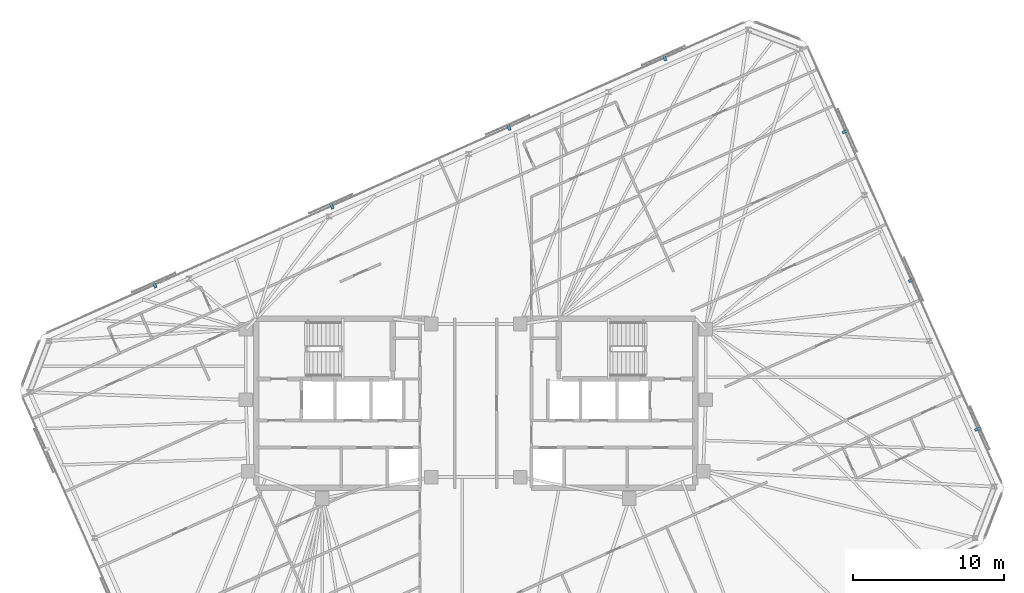
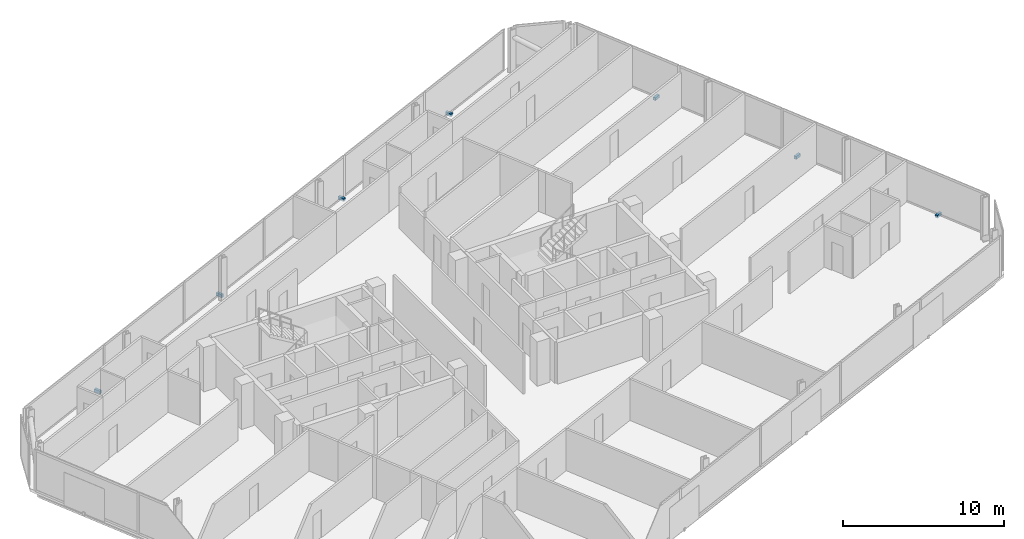
# One storey, part 18 of 19: 7 discrete accessories.
"""IFC4 building model written with IfcOpenShell, lengths in metres."""

from ifc_helpers import new_model, si_unit, direction, frame, origin, origin_2d, place, context, subcontext, project, spatial, rectangle, extrude, material, type_object, element, save


model = new_model("IFC4")

# Units and contexts
model_context = context("Model", 3, precision=1e-05, world=origin(), true_north=direction((0.0, 1.0)))
body_context = subcontext(model_context, "Body", "Model", "MODEL_VIEW")
ifc_project = project(units=[si_unit("LENGTHUNIT", "METRE"), si_unit("AREAUNIT", "SQUARE_METRE"), si_unit("VOLUMEUNIT", "CUBIC_METRE"), si_unit("PLANEANGLEUNIT", "RADIAN"), si_unit("MASSUNIT", "GRAM", prefix="KILO")], contexts=[model_context])

# Site, building, storey
site_placement = place(None, origin())
site = spatial("IfcSite", under=ifc_project, at=site_placement, CompositionType="ELEMENT")
building_placement = place(site_placement, origin())
building = spatial("IfcBuilding", under=site, at=building_placement, Name="Menara Jurai Vektor", CompositionType="ELEMENT")
storey_placement = place(building_placement, frame((0.0, 0.0, 262.199951171875)))
storey = spatial("IfcBuildingStorey", under=building, at=storey_placement, Name="L70", CompositionType="ELEMENT", Elevation=262.199951171875)

# Discrete accessories
ifc_material = material(Name="Steel S355", Category="steel")
discrete_accessory_type = type_object("IfcDiscreteAccessoryType", Name="ENV-ACC-BRACKET", PredefinedType="BRACKET", material=ifc_material)
for number, where, z_axis, x_axis, name in (
    (1, (33.29931640625, -1.706298828125, -0.1298828125), (0.0, 0.0, 1.0), (-0.406736643076, 0.913545457643, 0.0), "Solar Screen Stand-Off Bracket L70-S05"),
    (2, (28.906494140625, 8.16015625, -0.1298828125), (0.0, 0.0, 1.0), (-0.406736643076, 0.913545457643, 0.0), "Solar Screen Stand-Off Bracket L70-S06"),
    (3, (24.513671875, 18.0263671875, -0.1298828125), (0.0, 0.0, 1.0), (-0.406736643076, 0.913545457643, 0.0), "Solar Screen Stand-Off Bracket L70-S07"),
    (4, (12.51123046875, 22.910888671875, -0.1298828125), (0.0, 0.0, 1.0), (-0.913545457643, -0.406736643076, 0.0), "Solar Screen Stand-Off Bracket L70-S08"),
    (5, (2.180908203125, 18.3115234375, -0.1298828125), (0.0, 0.0, 1.0), (-0.913545457643, -0.406736643076, 0.0), "Solar Screen Stand-Off Bracket L70-S09"),
    (6, (-9.55810546875, 13.0849609375, -0.1298828125), (0.0, 0.0, 1.0), (-0.913545457643, -0.406736643076, 0.0), "Solar Screen Stand-Off Bracket L70-S10"),
    (7, (-21.297119140625, 7.8583984375, -0.1298828125), (0.0, 0.0, 1.0), (-0.913545457643, -0.406736643076, 0.0), "Solar Screen Stand-Off Bracket L70-S11"),
):
    element("IfcDiscreteAccessory", number, at=place(storey_placement, frame(where, z_axis=z_axis, x_axis=x_axis)), inside=storey, type_object=discrete_accessory_type, Name=name, PredefinedType="BRACKET", context=body_context, shape_type="SweptSolid", body=[
        extrude(rectangle(XDim=0.179931640625, YDim=0.43994140625, at=origin_2d()), origin(), (0.0, 0.0, 1.0), 0.219970703125),
    ])

save(model, "model.ifc")
